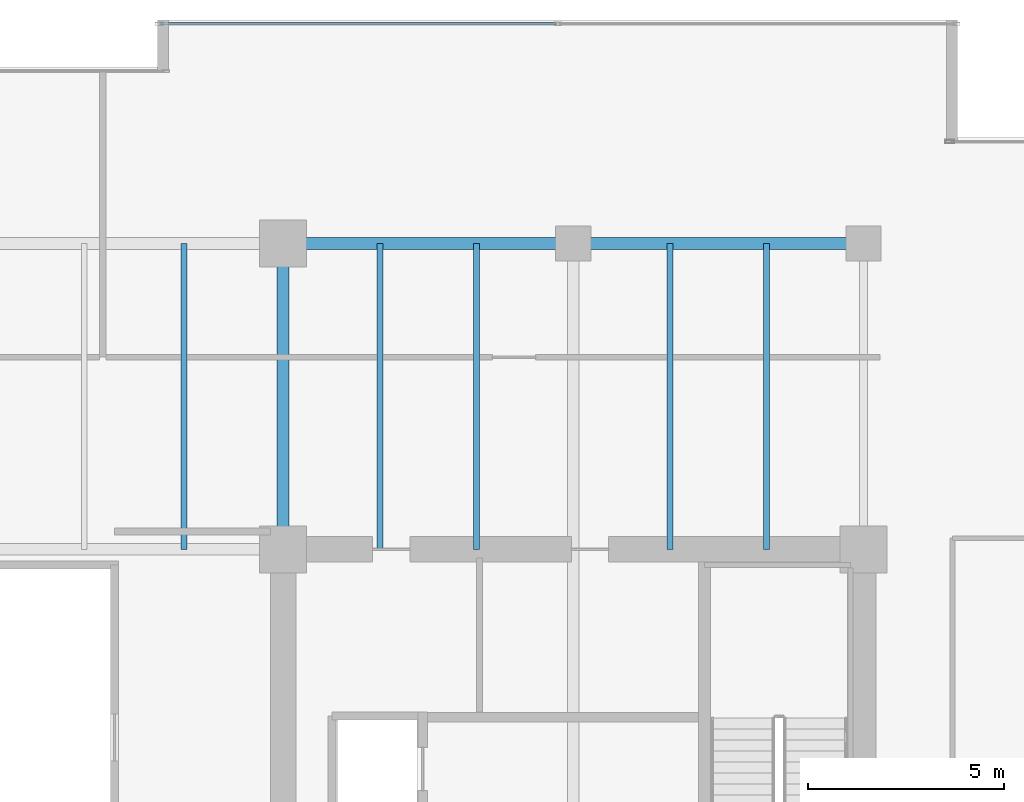
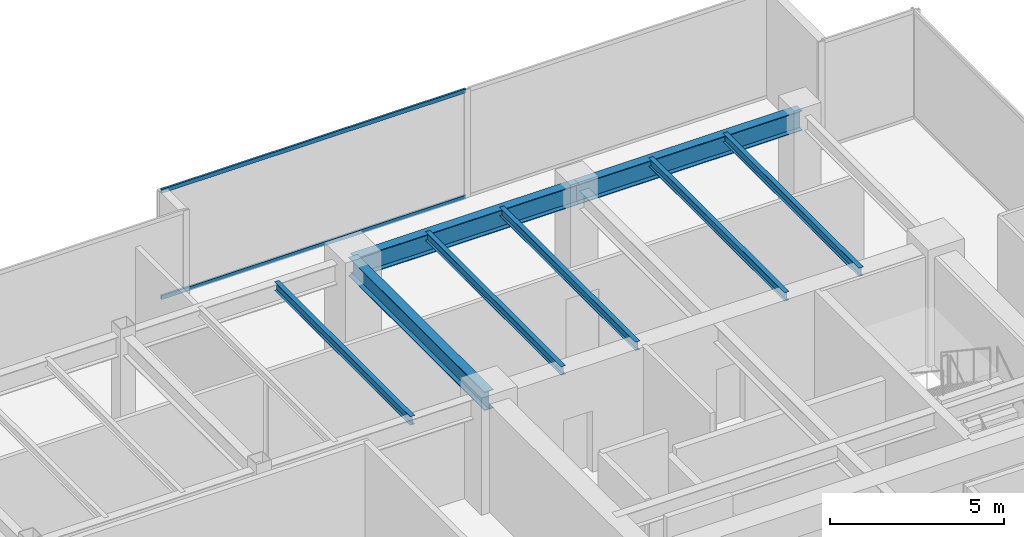
# One storey, part 19 of 30: 8 beams, 2 members, 1 element without a shape of its own.
"""IFC4 building model written with IfcOpenShell, lengths in metres."""

from ifc_helpers import new_model, si_unit, direction, frame, origin, origin_2d, place, context, subcontext, project, spatial, hollow_rectangle, i_section, extrude, source, transform, mapped, material, layer, layer_set, material_profile, profile_set, type_object, type_shapes, element, aggregate, save


model = new_model("IFC4")

# Units and contexts
model_context = context("Model", 3, precision=1e-05, world=origin(), true_north=direction((0.0, 1.0)))
body_context = subcontext(model_context, "Body", "Model", "MODEL_VIEW")
ifc_project = project(units=[si_unit("LENGTHUNIT", "METRE"), si_unit("AREAUNIT", "SQUARE_METRE"), si_unit("VOLUMEUNIT", "CUBIC_METRE"), si_unit("PLANEANGLEUNIT", "RADIAN"), si_unit("MASSUNIT", "GRAM", prefix="KILO")], contexts=[model_context])

# Site, building, storey
site_placement = place(None, origin())
site = spatial("IfcSite", under=ifc_project, at=site_placement, CompositionType="ELEMENT")
building_placement = place(site_placement, origin())
building = spatial("IfcBuilding", under=site, at=building_placement, Name="Haelvirn Gate Laboratories", CompositionType="ELEMENT")
storey_placement = place(building_placement, frame((0.0, 0.0, 129.699951171875)))
storey = spatial("IfcBuildingStorey", under=building, at=storey_placement, Name="L31", CompositionType="ELEMENT", Elevation=129.699951171875)

# Beams
ifc_material_1 = material(Name="Steel SM355", Category="steel")
ifc_material_profile_1 = material_profile(ifc_material_1, i_section(OverallWidth=0.300048828125, OverallDepth=0.64990234375, WebThickness=0.012939453125, FlangeThickness=0.02197265625, at=origin_2d()), Name="H-650x300x13x22")
ifc_profile_set_1 = profile_set([ifc_material_profile_1], Name="Steel SM355")
beam_type_1 = type_object("IfcBeamType", Name="BM-G-650", PredefinedType="BEAM", material=ifc_profile_set_1)
shared_shape_1 = source(origin(), body_context, "Body", "SweptSolid", [
    extrude(i_section(OverallWidth=0.300048828125, OverallDepth=0.64990234375, WebThickness=0.012939453125, FlangeThickness=0.02197265625, at=origin_2d()), origin(), (0.0, 0.0, 1.0), 7.800048828125),
])
type_shapes(beam_type_1, [shared_shape_1])
beam_placement = place(storey_placement, frame((52.60009765625, 33.800048828125, 3.465087890625), z_axis=(0.0, 1.0, 0.0), x_axis=(-1.0, 0.0, 0.0)))
element("IfcBeam", 1, at=beam_placement, inside=storey, type_object=beam_type_1, Name="L31 Frame Girder X52.6 (33.8-41.6)", PredefinedType="BEAM", context=body_context, shape_type="MappedRepresentation", body=[
    mapped(shared_shape_1, transform((0.0, 0.0, 0.0), scale=1.0)),
])
ifc_material_profile_2 = material_profile(ifc_material_1, i_section(OverallWidth=0.300048828125, OverallDepth=0.699951171875, WebThickness=0.012939453125, FlangeThickness=0.02392578125, at=origin_2d()), Name="H-700x300x13x24")
ifc_profile_set_2 = profile_set([ifc_material_profile_2], Name="Steel SM355")
beam_type_2 = type_object("IfcBeamType", Name="BM-G-700", PredefinedType="BEAM", material=ifc_profile_set_2)
shared_shape_2 = source(origin(), body_context, "Body", "SweptSolid", [
    extrude(i_section(OverallWidth=0.300048828125, OverallDepth=0.699951171875, WebThickness=0.012939453125, FlangeThickness=0.02392578125, at=origin_2d()), origin(), (0.0, 0.0, 1.0), 7.39990234375),
])
type_shapes(beam_type_2, [shared_shape_2])
for number, where, z_axis, x_axis, name in (
    (2, (52.60009765625, 41.60009765625, 3.43994140625), (1.0, 0.0, 0.0), (0.0, 1.0, 0.0), "L31 Primary Girder Y41.6 (52.6-60.0)"),
    (3, (60.0, 41.60009765625, 3.43994140625), (1.0, 0.0, 0.0), (0.0, 1.0, 0.0), "L31 Primary Girder Y41.6 (60.0-67.4)"),
):
    element("IfcBeam", number, at=place(storey_placement, frame(where, z_axis=z_axis, x_axis=x_axis)), inside=storey, type_object=beam_type_2, Name=name, PredefinedType="BEAM", context=body_context, shape_type="MappedRepresentation", body=[
        mapped(shared_shape_2, transform((0.0, 0.0, 0.0), scale=1.0)),
    ])
ifc_material_profile_3 = material_profile(ifc_material_1, i_section(OverallWidth=0.14990234375, OverallDepth=0.300048828125, WebThickness=0.006591796875, FlangeThickness=0.009033203125, at=origin_2d()), Name="H-300x150x6.5x9")
ifc_profile_set_3 = profile_set([ifc_material_profile_3], Name="Steel SM355")
beam_type_3 = type_object("IfcBeamType", Name="BM-J-300", PredefinedType="JOIST", material=ifc_profile_set_3)
shared_shape_3 = source(origin(), body_context, "Body", "SweptSolid", [
    extrude(i_section(OverallWidth=0.14990234375, OverallDepth=0.300048828125, WebThickness=0.006591796875, FlangeThickness=0.009033203125, at=origin_2d()), origin(), (0.0, 0.0, 1.0), 7.800048828125),
])
type_shapes(beam_type_3, [shared_shape_3])
for number, where, z_axis, x_axis, name in (
    (4, (50.070068359375, 33.800048828125, 3.64013671875), (0.0, 1.0, 0.0), (-1.0, 0.0, 0.0), "L31 Composite Lab Joist North X50.07"),
    (5, (55.070068359375, 33.800048828125, 3.64013671875), (0.0, 1.0, 0.0), (-1.0, 0.0, 0.0), "L31 Composite Lab Joist North X55.07"),
    (6, (57.530029296875, 33.800048828125, 3.64013671875), (0.0, 1.0, 0.0), (-1.0, 0.0, 0.0), "L31 Composite Lab Joist North X57.53"),
    (7, (62.469970703125, 33.800048828125, 3.64013671875), (0.0, 1.0, 0.0), (-1.0, 0.0, 0.0), "L31 Composite Lab Joist North X62.47"),
    (8, (64.929931640625, 33.800048828125, 3.64013671875), (0.0, 1.0, 0.0), (-1.0, 0.0, 0.0), "L31 Composite Lab Joist North X64.93"),
):
    element("IfcBeam", number, at=place(storey_placement, frame(where, z_axis=z_axis, x_axis=x_axis)), inside=storey, type_object=beam_type_3, Name=name, PredefinedType="JOIST", context=body_context, shape_type="MappedRepresentation", body=[
        mapped(shared_shape_3, transform((0.0, 0.0, 0.0), scale=1.0)),
    ])

# Curtain wall, members
ifc_material_2 = material(Name="Anodised bronze unitised aluminium & triple low-E glass", Category="aluminium")
ifc_layer = layer(ifc_material_2, 0.179931640625, Name="CW-SYS-3")
ifc_layer_set = layer_set([ifc_layer], Name="Anodised bronze unitised aluminium & triple low-E glass")
curtain_wall_type = type_object("IfcCurtainWallType", Name="CW-SYS-3", PredefinedType="NOTDEFINED", material=ifc_layer_set)
curtain_wall_placement = place(storey_placement, origin())
curtain_wall = element("IfcCurtainWall", 9, at=curtain_wall_placement, inside=storey, type_object=curtain_wall_type, Name="L31 Unitised Curtain Wall CW-L31-P0-E10-1", PredefinedType="NOTDEFINED")
ifc_material_3 = material(Name="Extruded aluminium 6063-T6 (anodised bronze)", Category="aluminium")
ifc_material_profile_4 = material_profile(ifc_material_3, hollow_rectangle(XDim=0.06494140625, YDim=0.139892578125, WallThickness=0.00390625, at=origin_2d()), Name="CWT-140x65x4")
ifc_profile_set_4 = profile_set([ifc_material_profile_4], Name="Extruded aluminium 6063-T6 (anodised bronze)")
member_type = type_object("IfcMemberType", Name="CWT-T140", PredefinedType="USERDEFINED", material=ifc_profile_set_4)
shared_shape_4 = source(origin(), body_context, "Body", "SweptSolid", [
    extrude(hollow_rectangle(XDim=0.06494140625, YDim=0.139892578125, WallThickness=0.00390625, at=origin_2d()), origin(), (0.0, 0.0, 1.0), 10.08740234375),
])
type_shapes(member_type, [shared_shape_4])
member_1_placement = place(storey_placement, frame((49.47509765625, 47.199951171875, 0.032470703125), z_axis=(1.0, 0.0, 0.0), x_axis=(0.0, 1.0, 0.0)))
member_1 = element("IfcMember", 10, at=member_1_placement, type_object=member_type, Name="CW3 transom 1.1", ObjectType="TRANSOM", PredefinedType="USERDEFINED", context=body_context, shape_type="MappedRepresentation", body=[
    mapped(shared_shape_4, transform((0.0, 0.0, 0.0), scale=1.0)),
])
member_2_placement = place(storey_placement, frame((49.47509765625, 47.199951171875, 3.757568359375), z_axis=(1.0, 0.0, 0.0), x_axis=(0.0, 1.0, 0.0)))
member_2 = element("IfcMember", 11, at=member_2_placement, type_object=member_type, Name="CW3 transom 1.2", ObjectType="TRANSOM", PredefinedType="USERDEFINED", context=body_context, shape_type="MappedRepresentation", body=[
    mapped(shared_shape_4, transform((0.0, 0.0, 0.0), scale=1.0)),
])
aggregate(curtain_wall, [member_1, member_2])

save(model, "model.ifc")
